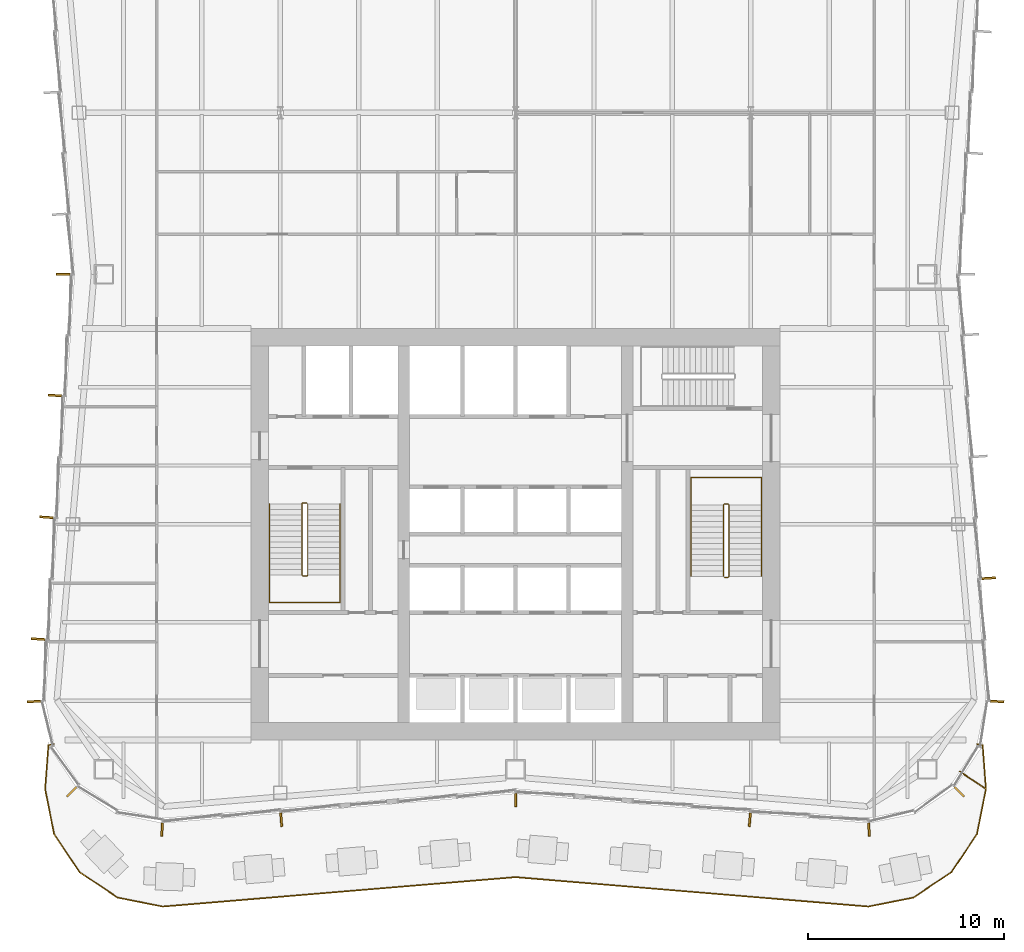
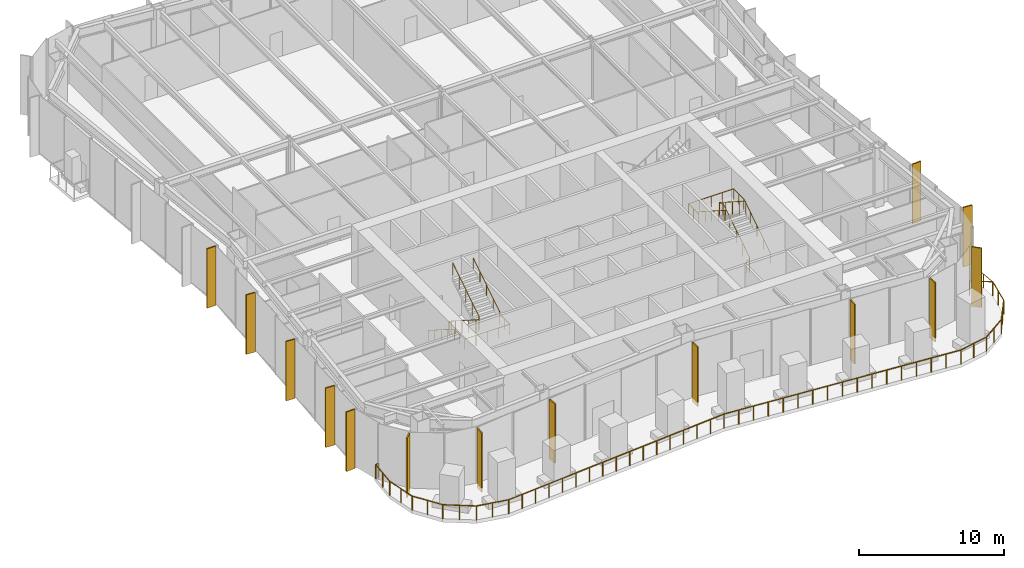
# One storey, part 13 of 16: 14 shading devices, 6 railings.
"""IFC4 building model written with IfcOpenShell, lengths in metres."""

from ifc_helpers import new_model, si_unit, direction, frame, origin, origin_2d, place, context, subcontext, project, spatial, rectangle, circle, extrude, material, layer, layer_set, type_object, element, save


model = new_model("IFC4")

# Units and contexts
model_context = context("Model", 3, precision=1e-05, world=origin(), true_north=direction((0.0, 1.0)))
body_context = subcontext(model_context, "Body", "Model", "MODEL_VIEW")
ifc_project = project(units=[si_unit("LENGTHUNIT", "METRE"), si_unit("AREAUNIT", "SQUARE_METRE"), si_unit("VOLUMEUNIT", "CUBIC_METRE"), si_unit("PLANEANGLEUNIT", "RADIAN"), si_unit("MASSUNIT", "GRAM", prefix="KILO")], contexts=[model_context])

# Site, building, storey
site_placement = place(None, origin())
site = spatial("IfcSite", under=ifc_project, at=site_placement, CompositionType="ELEMENT")
building_placement = place(site_placement, origin())
building = spatial("IfcBuilding", under=site, at=building_placement, Name="Verdant Reach Tower", CompositionType="ELEMENT")
storey_placement = place(building_placement, frame((0.0, 0.0, 177.0)))
storey = spatial("IfcBuildingStorey", under=building, at=storey_placement, Name="L40", CompositionType="ELEMENT", Elevation=177.0)

# Railings
ifc_material_1 = material(Name="Stainless steel", Category="steel")
railing_type_1 = type_object("IfcRailingType", Name="CO-GUARD", PredefinedType="GUARDRAIL", material=ifc_material_1)
railing_1_placement = place(storey_placement, frame((-10.64990234375, 29.60009765625, 0.0)))
element("IfcRailing", 1, at=railing_1_placement, inside=storey, type_object=railing_type_1, Name="L40 ST-1 stair guard 1", PredefinedType="GUARDRAIL", context=body_context, shape_type="SweptSolid", body=[
    extrude(circle(Radius=0.02392578125, at=origin_2d()), frame((0.0, 0.0, 1.076171875), z_axis=(-1.0, 0.0, 0.0), x_axis=(0.0, -1.0, 0.0)), (0.0, 0.0, 1.0), 0.2001953125),
    extrude(circle(Radius=0.02392578125, at=origin_2d()), frame((-0.2001953125, 0.0, 1.076171875), z_axis=(-0.25949872427, -0.26077077684, 0.929870428634), x_axis=(0.708833529934, -0.705375805398, 0.0)), (0.0, 0.0, 1.0), 0.19189453125),
    extrude(circle(Radius=0.02392578125, at=origin_2d()), frame((-0.25, -0.050048828125, 1.25439453125), z_axis=(0.0, -0.843127859045, 0.537713132908), x_axis=(1.0, 0.0, 0.0)), (0.0, 0.0, 1.0), 4.3173828125),
    extrude(circle(Radius=0.02392578125, at=origin_2d()), frame((-0.25, -3.690185546875, 3.576171875), z_axis=(0.707106781187, -0.707106781187, 0.0), x_axis=(0.707106781187, 0.707106781187, 0.0)), (0.0, 0.0, 1.0), 0.0703125),
    extrude(circle(Radius=0.02392578125, at=origin_2d()), frame((-0.2001953125, -3.739990234375, 3.576171875), z_axis=(1.0, 0.0, 0.0), x_axis=(0.0, 1.0, 0.0)), (0.0, 0.0, 1.0), 0.2001953125),
    extrude(circle(Radius=0.02392578125, at=origin_2d()), frame((0.0, -3.739990234375, 3.576171875), z_axis=(0.259584636361, 0.259584636361, 0.930178280294), x_axis=(-0.707106781187, 0.707106781187, 0.0)), (0.0, 0.0, 1.0), 0.19189453125),
    extrude(circle(Radius=0.02392578125, at=origin_2d()), frame((0.0498046875, -3.690185546875, 3.75439453125), z_axis=(0.0, 0.843127859045, 0.537713132908), x_axis=(-1.0, 0.0, 0.0)), (0.0, 0.0, 1.0), 4.3173828125),
    extrude(circle(Radius=0.02099609375, at=origin_2d()), origin(), (0.0, 0.0, 1.0), 1.052001953125),
    extrude(circle(Radius=0.02099609375, at=origin_2d()), frame((-0.2001953125, 0.0, 0.0)), (0.0, 0.0, 1.0), 1.052001953125),
    extrude(circle(Radius=0.02099609375, at=origin_2d()), frame((-0.25, -0.050048828125, 0.178466796875)), (0.0, 0.0, 1.0), 1.052001953125),
    extrude(circle(Radius=0.02099609375, at=origin_2d()), frame((-0.25, -0.9599609375, 0.7587890625)), (0.0, 0.0, 1.0), 1.052001953125),
    extrude(circle(Radius=0.02099609375, at=origin_2d()), frame((-0.25, -1.8701171875, 1.33935546875)), (0.0, 0.0, 1.0), 1.052001953125),
    extrude(circle(Radius=0.02099609375, at=origin_2d()), frame((-0.25, -2.7802734375, 1.919677734375)), (0.0, 0.0, 1.0), 1.052001953125),
    extrude(circle(Radius=0.02099609375, at=origin_2d()), frame((-0.25, -3.690185546875, 2.5)), (0.0, 0.0, 1.0), 1.052001953125),
    extrude(circle(Radius=0.02099609375, at=origin_2d()), frame((-0.2001953125, -3.739990234375, 2.5)), (0.0, 0.0, 1.0), 1.052001953125),
    extrude(circle(Radius=0.02099609375, at=origin_2d()), frame((0.0, -3.739990234375, 2.5)), (0.0, 0.0, 1.0), 1.052001953125),
    extrude(circle(Radius=0.02099609375, at=origin_2d()), frame((0.0498046875, -3.690185546875, 2.678466796875)), (0.0, 0.0, 1.0), 1.052001953125),
    extrude(circle(Radius=0.02099609375, at=origin_2d()), frame((0.0498046875, -2.7802734375, 3.2587890625)), (0.0, 0.0, 1.0), 1.052001953125),
    extrude(circle(Radius=0.02099609375, at=origin_2d()), frame((0.0498046875, -1.8701171875, 3.83935546875)), (0.0, 0.0, 1.0), 1.052001953125),
    extrude(circle(Radius=0.02099609375, at=origin_2d()), frame((0.0498046875, -0.9599609375, 4.419677734375)), (0.0, 0.0, 1.0), 1.052001953125),
    extrude(circle(Radius=0.02099609375, at=origin_2d()), frame((0.0498046875, -0.050048828125, 5.0)), (0.0, 0.0, 1.0), 1.052001953125),
])
railing_2_placement = place(storey_placement, frame((10.64990234375, 25.800048828125, 0.0)))
element("IfcRailing", 2, at=railing_2_placement, inside=storey, type_object=railing_type_1, Name="L40 ST-2 stair guard 1", PredefinedType="GUARDRAIL", context=body_context, shape_type="SweptSolid", body=[
    extrude(circle(Radius=0.02392578125, at=origin_2d()), frame((0.0, 0.0, 1.076171875), z_axis=(1.0, 0.0, 0.0), x_axis=(0.0, 1.0, 0.0)), (0.0, 0.0, 1.0), 0.2001953125),
    extrude(circle(Radius=0.02392578125, at=origin_2d()), frame((0.2001953125, 0.0, 1.076171875), z_axis=(0.25949872427, 0.26077077684, 0.929870428634), x_axis=(-0.708833529934, 0.705375805398, 0.0)), (0.0, 0.0, 1.0), 0.19189453125),
    extrude(circle(Radius=0.02392578125, at=origin_2d()), frame((0.25, 0.050048828125, 1.25439453125), z_axis=(0.0, 0.843111507901, 0.53773877045), x_axis=(-1.0, 0.0, 0.0)), (0.0, 0.0, 1.0), 4.317138671875),
    extrude(circle(Radius=0.02392578125, at=origin_2d()), frame((0.25, 3.68994140625, 3.576171875), z_axis=(-0.705375805398, 0.708833529934, 0.0), x_axis=(-0.708833529934, -0.705375805398, 0.0)), (0.0, 0.0, 1.0), 0.070556640625),
    extrude(circle(Radius=0.02392578125, at=origin_2d()), frame((0.2001953125, 3.739990234375, 3.576171875), z_axis=(-1.0, 0.0, 0.0), x_axis=(0.0, -1.0, 0.0)), (0.0, 0.0, 1.0), 0.2001953125),
    extrude(circle(Radius=0.02392578125, at=origin_2d()), frame((0.0, 3.739990234375, 3.576171875), z_axis=(-0.25949872427, -0.26077077684, 0.929870428634), x_axis=(0.708833529934, -0.705375805398, 0.0)), (0.0, 0.0, 1.0), 0.19189453125),
    extrude(circle(Radius=0.02392578125, at=origin_2d()), frame((-0.0498046875, 3.68994140625, 3.75439453125), z_axis=(0.0, -0.843111507901, 0.53773877045), x_axis=(1.0, 0.0, 0.0)), (0.0, 0.0, 1.0), 4.317138671875),
    extrude(circle(Radius=0.02099609375, at=origin_2d()), origin(), (0.0, 0.0, 1.0), 1.052001953125),
    extrude(circle(Radius=0.02099609375, at=origin_2d()), frame((0.2001953125, 0.0, 0.0)), (0.0, 0.0, 1.0), 1.052001953125),
    extrude(circle(Radius=0.02099609375, at=origin_2d()), frame((0.25, 0.050048828125, 0.178466796875)), (0.0, 0.0, 1.0), 1.052001953125),
    extrude(circle(Radius=0.02099609375, at=origin_2d()), frame((0.25, 0.9599609375, 0.7587890625)), (0.0, 0.0, 1.0), 1.052001953125),
    extrude(circle(Radius=0.02099609375, at=origin_2d()), frame((0.25, 1.8701171875, 1.33935546875)), (0.0, 0.0, 1.0), 1.052001953125),
    extrude(circle(Radius=0.02099609375, at=origin_2d()), frame((0.25, 2.780029296875, 1.919677734375)), (0.0, 0.0, 1.0), 1.052001953125),
    extrude(circle(Radius=0.02099609375, at=origin_2d()), frame((0.25, 3.68994140625, 2.5)), (0.0, 0.0, 1.0), 1.052001953125),
    extrude(circle(Radius=0.02099609375, at=origin_2d()), frame((0.2001953125, 3.739990234375, 2.5)), (0.0, 0.0, 1.0), 1.052001953125),
    extrude(circle(Radius=0.02099609375, at=origin_2d()), frame((0.0, 3.739990234375, 2.5)), (0.0, 0.0, 1.0), 1.052001953125),
    extrude(circle(Radius=0.02099609375, at=origin_2d()), frame((-0.0498046875, 3.68994140625, 2.678466796875)), (0.0, 0.0, 1.0), 1.052001953125),
    extrude(circle(Radius=0.02099609375, at=origin_2d()), frame((-0.0498046875, 2.780029296875, 3.2587890625)), (0.0, 0.0, 1.0), 1.052001953125),
    extrude(circle(Radius=0.02099609375, at=origin_2d()), frame((-0.0498046875, 1.8701171875, 3.83935546875)), (0.0, 0.0, 1.0), 1.052001953125),
    extrude(circle(Radius=0.02099609375, at=origin_2d()), frame((-0.0498046875, 0.9599609375, 4.419677734375)), (0.0, 0.0, 1.0), 1.052001953125),
    extrude(circle(Radius=0.02099609375, at=origin_2d()), frame((-0.0498046875, 0.050048828125, 5.0)), (0.0, 0.0, 1.0), 1.052001953125),
])
railing_type_2 = type_object("IfcRailingType", Name="CO-HANDRAIL", PredefinedType="HANDRAIL", material=ifc_material_1)
railing_3_placement = place(storey_placement, frame((-12.550048828125, 29.550048828125, 0.178466796875)))
element("IfcRailing", 3, at=railing_3_placement, inside=storey, type_object=railing_type_2, Name="L40 ST-1 stair handrail 1", PredefinedType="HANDRAIL", context=body_context, shape_type="SweptSolid", body=[
    extrude(circle(Radius=0.02392578125, at=origin_2d()), frame((0.0, 0.0, 0.8759765625), z_axis=(0.0, -0.843127859045, 0.537713132908), x_axis=(1.0, 0.0, 0.0)), (0.0, 0.0, 1.0), 4.3173828125),
    extrude(circle(Radius=0.02392578125, at=origin_2d()), frame((0.0, -3.64013671875, 3.197265625), z_axis=(0.0, -1.0, 0.0), x_axis=(1.0, 0.0, 0.0)), (0.0, 0.0, 1.0), 1.39990234375),
    extrude(circle(Radius=0.02392578125, at=origin_2d()), frame((0.0, -5.0400390625, 3.197265625), z_axis=(1.0, 0.0, 0.0), x_axis=(0.0, 1.0, 0.0)), (0.0, 0.0, 1.0), 3.60009765625),
    extrude(circle(Radius=0.02392578125, at=origin_2d()), frame((3.60009765625, -5.0400390625, 3.197265625), z_axis=(0.0, 1.0, 0.0), x_axis=(-1.0, 0.0, 0.0)), (0.0, 0.0, 1.0), 1.39990234375),
    extrude(circle(Radius=0.02392578125, at=origin_2d()), frame((3.60009765625, -3.64013671875, 3.197265625), z_axis=(0.0, 0.0, 1.0), x_axis=(1.0, 0.0, 0.0)), (0.0, 0.0, 1.0), 0.178466796875),
    extrude(circle(Radius=0.02392578125, at=origin_2d()), frame((3.60009765625, -3.64013671875, 3.3759765625), z_axis=(0.0, 0.843127859045, 0.537713132908), x_axis=(-1.0, 0.0, 0.0)), (0.0, 0.0, 1.0), 4.3173828125),
    extrude(circle(Radius=0.02099609375, at=origin_2d()), origin(), (0.0, 0.0, 1.0), 0.851806640625),
    extrude(circle(Radius=0.02099609375, at=origin_2d()), frame((0.0, -0.91015625, 0.580322265625)), (0.0, 0.0, 1.0), 0.851806640625),
    extrude(circle(Radius=0.02099609375, at=origin_2d()), frame((0.0, -1.820068359375, 1.16064453125)), (0.0, 0.0, 1.0), 0.851806640625),
    extrude(circle(Radius=0.02099609375, at=origin_2d()), frame((0.0, -2.72998046875, 1.7412109375)), (0.0, 0.0, 1.0), 0.851806640625),
    extrude(circle(Radius=0.02099609375, at=origin_2d()), frame((0.0, -3.64013671875, 2.321533203125)), (0.0, 0.0, 1.0), 0.851806640625),
    extrude(circle(Radius=0.02099609375, at=origin_2d()), frame((0.0, -4.340087890625, 2.321533203125)), (0.0, 0.0, 1.0), 0.851806640625),
    extrude(circle(Radius=0.02099609375, at=origin_2d()), frame((0.0, -5.0400390625, 2.321533203125)), (0.0, 0.0, 1.0), 0.851806640625),
    extrude(circle(Radius=0.02099609375, at=origin_2d()), frame((0.89990234375, -5.0400390625, 2.321533203125)), (0.0, 0.0, 1.0), 0.851806640625),
    extrude(circle(Radius=0.02099609375, at=origin_2d()), frame((1.800048828125, -5.0400390625, 2.321533203125)), (0.0, 0.0, 1.0), 0.851806640625),
    extrude(circle(Radius=0.02099609375, at=origin_2d()), frame((2.7001953125, -5.0400390625, 2.321533203125)), (0.0, 0.0, 1.0), 0.851806640625),
    extrude(circle(Radius=0.02099609375, at=origin_2d()), frame((3.60009765625, -5.0400390625, 2.321533203125)), (0.0, 0.0, 1.0), 0.851806640625),
    extrude(circle(Radius=0.02099609375, at=origin_2d()), frame((3.60009765625, -4.340087890625, 2.321533203125)), (0.0, 0.0, 1.0), 0.851806640625),
    extrude(circle(Radius=0.02099609375, at=origin_2d()), frame((3.60009765625, -3.64013671875, 2.321533203125)), (0.0, 0.0, 1.0), 0.851806640625),
    extrude(circle(Radius=0.02099609375, at=origin_2d()), frame((3.60009765625, -3.64013671875, 2.5)), (0.0, 0.0, 1.0), 0.851806640625),
    extrude(circle(Radius=0.02099609375, at=origin_2d()), frame((3.60009765625, -2.72998046875, 3.080322265625)), (0.0, 0.0, 1.0), 0.851806640625),
    extrude(circle(Radius=0.02099609375, at=origin_2d()), frame((3.60009765625, -1.820068359375, 3.66064453125)), (0.0, 0.0, 1.0), 0.851806640625),
    extrude(circle(Radius=0.02099609375, at=origin_2d()), frame((3.60009765625, -0.91015625, 4.2412109375)), (0.0, 0.0, 1.0), 0.851806640625),
    extrude(circle(Radius=0.02099609375, at=origin_2d()), frame((3.60009765625, 0.0, 4.821533203125)), (0.0, 0.0, 1.0), 0.851806640625),
])
railing_4_placement = place(storey_placement, frame((12.550048828125, 25.85009765625, 0.178466796875)))
element("IfcRailing", 4, at=railing_4_placement, inside=storey, type_object=railing_type_2, Name="L40 ST-2 stair handrail 1", PredefinedType="HANDRAIL", context=body_context, shape_type="SweptSolid", body=[
    extrude(circle(Radius=0.02392578125, at=origin_2d()), frame((0.0, 0.0, 0.8759765625), z_axis=(0.0, 0.843111507901, 0.53773877045), x_axis=(-1.0, 0.0, 0.0)), (0.0, 0.0, 1.0), 4.317138671875),
    extrude(circle(Radius=0.02392578125, at=origin_2d()), frame((0.0, 3.639892578125, 3.197265625), z_axis=(0.0, 1.0, 0.0), x_axis=(-1.0, 0.0, 0.0)), (0.0, 0.0, 1.0), 1.39990234375),
    extrude(circle(Radius=0.02392578125, at=origin_2d()), frame((0.0, 5.039794921875, 3.197265625), z_axis=(-1.0, 0.0, 0.0), x_axis=(0.0, -1.0, 0.0)), (0.0, 0.0, 1.0), 3.60009765625),
    extrude(circle(Radius=0.02392578125, at=origin_2d()), frame((-3.60009765625, 5.039794921875, 3.197265625), z_axis=(0.0, -1.0, 0.0), x_axis=(1.0, 0.0, 0.0)), (0.0, 0.0, 1.0), 1.39990234375),
    extrude(circle(Radius=0.02392578125, at=origin_2d()), frame((-3.60009765625, 3.639892578125, 3.197265625), z_axis=(0.0, 0.0, 1.0), x_axis=(1.0, 0.0, 0.0)), (0.0, 0.0, 1.0), 0.178466796875),
    extrude(circle(Radius=0.02392578125, at=origin_2d()), frame((-3.60009765625, 3.639892578125, 3.3759765625), z_axis=(0.0, -0.843111507901, 0.53773877045), x_axis=(1.0, 0.0, 0.0)), (0.0, 0.0, 1.0), 4.317138671875),
    extrude(circle(Radius=0.02099609375, at=origin_2d()), origin(), (0.0, 0.0, 1.0), 0.851806640625),
    extrude(circle(Radius=0.02099609375, at=origin_2d()), frame((0.0, 0.909912109375, 0.580322265625)), (0.0, 0.0, 1.0), 0.851806640625),
    extrude(circle(Radius=0.02099609375, at=origin_2d()), frame((0.0, 1.81982421875, 1.16064453125)), (0.0, 0.0, 1.0), 0.851806640625),
    extrude(circle(Radius=0.02099609375, at=origin_2d()), frame((0.0, 2.72998046875, 1.7412109375)), (0.0, 0.0, 1.0), 0.851806640625),
    extrude(circle(Radius=0.02099609375, at=origin_2d()), frame((0.0, 3.639892578125, 2.321533203125)), (0.0, 0.0, 1.0), 0.851806640625),
    extrude(circle(Radius=0.02099609375, at=origin_2d()), frame((0.0, 4.33984375, 2.321533203125)), (0.0, 0.0, 1.0), 0.851806640625),
    extrude(circle(Radius=0.02099609375, at=origin_2d()), frame((0.0, 5.039794921875, 2.321533203125)), (0.0, 0.0, 1.0), 0.851806640625),
    extrude(circle(Radius=0.02099609375, at=origin_2d()), frame((-0.89990234375, 5.039794921875, 2.321533203125)), (0.0, 0.0, 1.0), 0.851806640625),
    extrude(circle(Radius=0.02099609375, at=origin_2d()), frame((-1.800048828125, 5.039794921875, 2.321533203125)), (0.0, 0.0, 1.0), 0.851806640625),
    extrude(circle(Radius=0.02099609375, at=origin_2d()), frame((-2.7001953125, 5.039794921875, 2.321533203125)), (0.0, 0.0, 1.0), 0.851806640625),
    extrude(circle(Radius=0.02099609375, at=origin_2d()), frame((-3.60009765625, 5.039794921875, 2.321533203125)), (0.0, 0.0, 1.0), 0.851806640625),
    extrude(circle(Radius=0.02099609375, at=origin_2d()), frame((-3.60009765625, 4.33984375, 2.321533203125)), (0.0, 0.0, 1.0), 0.851806640625),
    extrude(circle(Radius=0.02099609375, at=origin_2d()), frame((-3.60009765625, 3.639892578125, 2.321533203125)), (0.0, 0.0, 1.0), 0.851806640625),
    extrude(circle(Radius=0.02099609375, at=origin_2d()), frame((-3.60009765625, 3.639892578125, 2.5)), (0.0, 0.0, 1.0), 0.851806640625),
    extrude(circle(Radius=0.02099609375, at=origin_2d()), frame((-3.60009765625, 2.72998046875, 3.080322265625)), (0.0, 0.0, 1.0), 0.851806640625),
    extrude(circle(Radius=0.02099609375, at=origin_2d()), frame((-3.60009765625, 1.81982421875, 3.66064453125)), (0.0, 0.0, 1.0), 0.851806640625),
    extrude(circle(Radius=0.02099609375, at=origin_2d()), frame((-3.60009765625, 0.909912109375, 4.2412109375)), (0.0, 0.0, 1.0), 0.851806640625),
    extrude(circle(Radius=0.02099609375, at=origin_2d()), frame((-3.60009765625, 0.0, 4.821533203125)), (0.0, 0.0, 1.0), 0.851806640625),
])

# Shading devices
ifc_material_2 = material(Name="Bronze fin, champagne", Category="aluminium")
ifc_layer_1 = layer(ifc_material_2, 0.10009765625)
ifc_layer_set_1 = layer_set([ifc_layer_1], Name="EN-FIN CHAMPAGNE")
shading_device_type_1 = type_object("IfcShadingDeviceType", Name="EN-FIN CHAMPAGNE", PredefinedType="USERDEFINED", material=ifc_layer_set_1)
for number, where, z_axis, x_axis, name in (
    (5, (18.0322265625, 12.932861328125, -0.35009765625), (0.0, 0.0, 1.0), (0.998398681387, 0.056569187765, 0.0), "Fin south-east corner 1, L40"),
    (6, (22.644287109375, 14.855712890625, -0.35009765625), (0.0, 0.0, 1.0), (0.707106781187, 0.707106781187, 0.0), "Fin south-east corner 3, L40"),
    (7, (24.56689453125, 19.4638671875, -0.35009765625), (0.0, 0.0, 1.0), (0.063698618332, 0.997969180898, 0.0), "Fin east face part 1 1, L40"),
    (8, (-23.923828125, 28.860595703125, -0.35009765625), (0.0, 0.0, 1.0), (-0.068802091615, -0.997630328423, 0.0), "Fin west face part 2 5, L40"),
    (9, (-24.352294921875, 22.646240234375, -0.35009765625), (0.0, 0.0, 1.0), (-0.068802091615, -0.997630328423, 0.0), "Fin west face part 2 7, L40"),
    (10, (-18.0322265625, 12.932861328125, -0.35009765625), (0.0, 0.0, 1.0), (0.998398681387, -0.056569187765, 0.0), "Fin south face part 1 1, L40"),
    (11, (-11.952880859375, 13.43408203125, -0.35009765625), (0.0, 0.0, 1.0), (0.996545758244, 0.083045479859, 0.0), "Fin south face part 1 3, L40"),
):
    element("IfcShadingDevice", number, at=place(storey_placement, frame(where, z_axis=z_axis, x_axis=x_axis)), inside=storey, type_object=shading_device_type_1, Name=name, ObjectType="FIN", PredefinedType="USERDEFINED", context=body_context, shape_type="SweptSolid", body=[
        extrude(rectangle(XDim=0.10009765625, YDim=0.699951171875, at=origin_2d()), origin(), (0.0, 0.0, 1.0), 5.0),
    ])
ifc_material_3 = material(Name="Bronze fin, copper", Category="aluminium")
ifc_layer_2 = layer(ifc_material_3, 0.10009765625)
ifc_layer_set_2 = layer_set([ifc_layer_2], Name="EN-FIN COPPER")
shading_device_type_2 = type_object("IfcShadingDeviceType", Name="EN-FIN COPPER", PredefinedType="USERDEFINED", material=ifc_layer_set_2)
for number, where, z_axis, x_axis, name in (
    (12, (24.13818359375, 25.75341796875, -0.35009765625), (0.0, 0.0, 1.0), (-0.068802091615, 0.997630328423, 0.0), "Fin east face part 1 3, L40"),
    (13, (-23.068115234375, 41.25, -0.35009765625), (0.0, 0.0, 1.0), (0.0, -1.0, 0.0), "Fin west face part 2 1, L40"),
    (14, (11.952880859375, 13.43408203125, -0.35009765625), (0.0, 0.0, 1.0), (0.996545758244, -0.083045479859, 0.0), "Fin south face part 2 5, L40"),
):
    element("IfcShadingDevice", number, at=place(storey_placement, frame(where, z_axis=z_axis, x_axis=x_axis)), inside=storey, type_object=shading_device_type_2, Name=name, ObjectType="FIN", PredefinedType="USERDEFINED", context=body_context, shape_type="SweptSolid", body=[
        extrude(rectangle(XDim=0.10009765625, YDim=0.699951171875, at=origin_2d()), origin(), (0.0, 0.0, 1.0), 5.0),
    ])
ifc_material_4 = material(Name="Bronze fin, dark bronze", Category="aluminium")
ifc_layer_3 = layer(ifc_material_4, 0.10009765625)
ifc_layer_set_3 = layer_set([ifc_layer_3], Name="EN-FIN DARK")
shading_device_type_3 = type_object("IfcShadingDeviceType", Name="EN-FIN DARK", PredefinedType="USERDEFINED", material=ifc_layer_set_3)
for number, where, z_axis, x_axis, name in (
    (15, (-23.4951171875, 35.07470703125, -0.35009765625), (0.0, 0.0, 1.0), (-0.068802091615, -0.997630328423, 0.0), "Fin west face part 2 3, L40"),
    (16, (-24.56689453125, 19.4638671875, -0.35009765625), (0.0, 0.0, 1.0), (0.063698618332, -0.997969180898, 0.0), "Fin south-west corner 1, L40"),
    (17, (-22.644287109375, 14.855712890625, -0.35009765625), (0.0, 0.0, 1.0), (0.707106781187, -0.707106781187, 0.0), "Fin south-west corner 3, L40"),
    (18, (0.0, 14.431884765625, -0.35009765625), (0.0, 0.0, 1.0), (1.0, 0.0, 0.0), "Fin south face part 2 1, L40"),
):
    element("IfcShadingDevice", number, at=place(storey_placement, frame(where, z_axis=z_axis, x_axis=x_axis)), inside=storey, type_object=shading_device_type_3, Name=name, ObjectType="FIN", PredefinedType="USERDEFINED", context=body_context, shape_type="SweptSolid", body=[
        extrude(rectangle(XDim=0.10009765625, YDim=0.699951171875, at=origin_2d()), origin(), (0.0, 0.0, 1.0), 5.0),
    ])

# Railings
ifc_material_5 = material(Name="Stainless steel and laminated glass balustrade", Category="steel")
railing_type_3 = type_object("IfcRailingType", Name="EN-RAILING TERRACE", PredefinedType="GUARDRAIL", material=ifc_material_5)
railing_5_placement = place(storey_placement, frame((22.666259765625, 15.891357421875, 0.0)))
element("IfcRailing", 19, at=railing_5_placement, inside=storey, type_object=railing_type_3, Name="Terrace guard 1, L40", PredefinedType="GUARDRAIL", context=body_context, shape_type="SweptSolid", body=[
    extrude(circle(Radius=0.02490234375, at=origin_2d()), frame((0.0, 0.0, 1.1748046875), z_axis=(0.831417577393, -0.555648100872, 0.0), x_axis=(0.555648100872, 0.831417577393, 0.0)), (0.0, 0.0, 1.0), 1.604248046875),
    extrude(circle(Radius=0.02490234375, at=origin_2d()), frame((1.333740234375, -0.891357421875, 1.1748046875), z_axis=(-0.195113312377, -0.980780707056, 0.0), x_axis=(0.980780707056, -0.195113312377, 0.0)), (0.0, 0.0, 1.0), 2.341064453125),
    extrude(circle(Radius=0.02490234375, at=origin_2d()), frame((0.876953125, -3.1875, 1.1748046875), z_axis=(-0.55554223823, -0.831488317141, 0.0), x_axis=(0.831488317141, -0.55554223823, 0.0)), (0.0, 0.0, 1.0), 2.341064453125),
    extrude(circle(Radius=0.02490234375, at=origin_2d()), frame((-0.423583984375, -5.134033203125, 1.1748046875), z_axis=(-0.831488317141, -0.55554223823, 0.0), x_axis=(0.55554223823, -0.831488317141, 0.0)), (0.0, 0.0, 1.0), 2.341064453125),
    extrude(circle(Radius=0.02490234375, at=origin_2d()), frame((-2.3701171875, -6.4345703125, 1.1748046875), z_axis=(-0.980780707056, -0.195113312377, 0.0), x_axis=(0.195113312377, -0.980780707056, 0.0)), (0.0, 0.0, 1.0), 2.341064453125),
    extrude(circle(Radius=0.02490234375, at=origin_2d()), frame((-4.666259765625, -6.891357421875, 1.1748046875), z_axis=(-0.996545758245, 0.083045479854, 0.0), x_axis=(-0.083045479854, -0.996545758245, 0.0)), (0.0, 0.0, 1.0), 18.0625),
    extrude(circle(Radius=0.02490234375, at=origin_2d()), frame((-22.666259765625, -5.391357421875, 1.1748046875), z_axis=(-0.996545758245, -0.083045479854, 0.0), x_axis=(0.083045479854, -0.996545758245, 0.0)), (0.0, 0.0, 1.0), 18.0625),
    extrude(circle(Radius=0.02490234375, at=origin_2d()), frame((-40.666259765625, -6.891357421875, 1.1748046875), z_axis=(-0.980780707056, 0.195113312377, 0.0), x_axis=(-0.195113312377, -0.980780707056, 0.0)), (0.0, 0.0, 1.0), 2.341064453125),
    extrude(circle(Radius=0.02490234375, at=origin_2d()), frame((-42.96240234375, -6.4345703125, 1.1748046875), z_axis=(-0.831488317141, 0.55554223823, 0.0), x_axis=(-0.55554223823, -0.831488317141, 0.0)), (0.0, 0.0, 1.0), 2.341064453125),
    extrude(circle(Radius=0.02490234375, at=origin_2d()), frame((-44.908935546875, -5.134033203125, 1.1748046875), z_axis=(-0.55554223823, 0.831488317141, 0.0), x_axis=(-0.831488317141, -0.55554223823, 0.0)), (0.0, 0.0, 1.0), 2.341064453125),
    extrude(circle(Radius=0.02490234375, at=origin_2d()), frame((-46.20947265625, -3.1875, 1.1748046875), z_axis=(-0.195113312377, 0.980780707056, 0.0), x_axis=(-0.980780707056, -0.195113312377, 0.0)), (0.0, 0.0, 1.0), 2.341064453125),
    extrude(circle(Radius=0.02490234375, at=origin_2d()), frame((-46.666259765625, -0.891357421875, 1.1748046875), z_axis=(0.074795369305, 0.997198903294, 0.0), x_axis=(-0.997198903294, 0.074795369305, 0.0)), (0.0, 0.0, 1.0), 2.2392578125),
    extrude(circle(Radius=0.02490234375, at=origin_2d()), frame((-46.498779296875, 1.341552734375, 1.1748046875), z_axis=(0.980816369653, 0.194933960665, 0.0), x_axis=(-0.194933960665, 0.980816369653, 0.0)), (0.0, 0.0, 1.0), 0.278076171875),
    extrude(circle(Radius=0.02490234375, at=origin_2d()), origin(), (0.0, 0.0, 1.0), 1.14990234375),
    extrude(circle(Radius=0.02490234375, at=origin_2d()), frame((0.6669921875, -0.44580078125, 0.0)), (0.0, 0.0, 1.0), 1.14990234375),
    extrude(circle(Radius=0.02490234375, at=origin_2d()), frame((1.333740234375, -0.891357421875, 0.0)), (0.0, 0.0, 1.0), 1.14990234375),
    extrude(circle(Radius=0.02490234375, at=origin_2d()), frame((1.10546875, -2.03955078125, 0.0)), (0.0, 0.0, 1.0), 1.14990234375),
    extrude(circle(Radius=0.02490234375, at=origin_2d()), frame((0.876953125, -3.1875, 0.0)), (0.0, 0.0, 1.0), 1.14990234375),
    extrude(circle(Radius=0.02490234375, at=origin_2d()), frame((0.2265625, -4.16064453125, 0.0)), (0.0, 0.0, 1.0), 1.14990234375),
    extrude(circle(Radius=0.02490234375, at=origin_2d()), frame((-0.423583984375, -5.134033203125, 0.0)), (0.0, 0.0, 1.0), 1.14990234375),
    extrude(circle(Radius=0.02490234375, at=origin_2d()), frame((-1.39697265625, -5.7841796875, 0.0)), (0.0, 0.0, 1.0), 1.14990234375),
    extrude(circle(Radius=0.02490234375, at=origin_2d()), frame((-2.3701171875, -6.4345703125, 0.0)), (0.0, 0.0, 1.0), 1.14990234375),
    extrude(circle(Radius=0.02490234375, at=origin_2d()), frame((-3.51806640625, -6.6630859375, 0.0)), (0.0, 0.0, 1.0), 1.14990234375),
    extrude(circle(Radius=0.02490234375, at=origin_2d()), frame((-4.666259765625, -6.891357421875, 0.0)), (0.0, 0.0, 1.0), 1.14990234375),
    extrude(circle(Radius=0.02490234375, at=origin_2d()), frame((-5.791259765625, -6.797607421875, 0.0)), (0.0, 0.0, 1.0), 1.14990234375),
    extrude(circle(Radius=0.02490234375, at=origin_2d()), frame((-6.916259765625, -6.703857421875, 0.0)), (0.0, 0.0, 1.0), 1.14990234375),
    extrude(circle(Radius=0.02490234375, at=origin_2d()), frame((-8.041259765625, -6.610107421875, 0.0)), (0.0, 0.0, 1.0), 1.14990234375),
    extrude(circle(Radius=0.02490234375, at=origin_2d()), frame((-9.166259765625, -6.516357421875, 0.0)), (0.0, 0.0, 1.0), 1.14990234375),
    extrude(circle(Radius=0.02490234375, at=origin_2d()), frame((-10.291259765625, -6.422607421875, 0.0)), (0.0, 0.0, 1.0), 1.14990234375),
    extrude(circle(Radius=0.02490234375, at=origin_2d()), frame((-11.416259765625, -6.328857421875, 0.0)), (0.0, 0.0, 1.0), 1.14990234375),
    extrude(circle(Radius=0.02490234375, at=origin_2d()), frame((-12.541259765625, -6.235107421875, 0.0)), (0.0, 0.0, 1.0), 1.14990234375),
    extrude(circle(Radius=0.02490234375, at=origin_2d()), frame((-13.666259765625, -6.141357421875, 0.0)), (0.0, 0.0, 1.0), 1.14990234375),
    extrude(circle(Radius=0.02490234375, at=origin_2d()), frame((-14.791259765625, -6.047607421875, 0.0)), (0.0, 0.0, 1.0), 1.14990234375),
    extrude(circle(Radius=0.02490234375, at=origin_2d()), frame((-15.916259765625, -5.953857421875, 0.0)), (0.0, 0.0, 1.0), 1.14990234375),
    extrude(circle(Radius=0.02490234375, at=origin_2d()), frame((-17.041259765625, -5.860107421875, 0.0)), (0.0, 0.0, 1.0), 1.14990234375),
    extrude(circle(Radius=0.02490234375, at=origin_2d()), frame((-18.166259765625, -5.766357421875, 0.0)), (0.0, 0.0, 1.0), 1.14990234375),
    extrude(circle(Radius=0.02490234375, at=origin_2d()), frame((-19.291259765625, -5.672607421875, 0.0)), (0.0, 0.0, 1.0), 1.14990234375),
    extrude(circle(Radius=0.02490234375, at=origin_2d()), frame((-20.416259765625, -5.578857421875, 0.0)), (0.0, 0.0, 1.0), 1.14990234375),
    extrude(circle(Radius=0.02490234375, at=origin_2d()), frame((-21.541259765625, -5.485107421875, 0.0)), (0.0, 0.0, 1.0), 1.14990234375),
    extrude(circle(Radius=0.02490234375, at=origin_2d()), frame((-22.666259765625, -5.391357421875, 0.0)), (0.0, 0.0, 1.0), 1.14990234375),
    extrude(circle(Radius=0.02490234375, at=origin_2d()), frame((-23.791259765625, -5.485107421875, 0.0)), (0.0, 0.0, 1.0), 1.14990234375),
    extrude(circle(Radius=0.02490234375, at=origin_2d()), frame((-24.916259765625, -5.578857421875, 0.0)), (0.0, 0.0, 1.0), 1.14990234375),
    extrude(circle(Radius=0.02490234375, at=origin_2d()), frame((-26.041259765625, -5.672607421875, 0.0)), (0.0, 0.0, 1.0), 1.14990234375),
    extrude(circle(Radius=0.02490234375, at=origin_2d()), frame((-27.166259765625, -5.766357421875, 0.0)), (0.0, 0.0, 1.0), 1.14990234375),
    extrude(circle(Radius=0.02490234375, at=origin_2d()), frame((-28.291259765625, -5.860107421875, 0.0)), (0.0, 0.0, 1.0), 1.14990234375),
    extrude(circle(Radius=0.02490234375, at=origin_2d()), frame((-29.416259765625, -5.953857421875, 0.0)), (0.0, 0.0, 1.0), 1.14990234375),
    extrude(circle(Radius=0.02490234375, at=origin_2d()), frame((-30.541259765625, -6.047607421875, 0.0)), (0.0, 0.0, 1.0), 1.14990234375),
    extrude(circle(Radius=0.02490234375, at=origin_2d()), frame((-31.666259765625, -6.141357421875, 0.0)), (0.0, 0.0, 1.0), 1.14990234375),
    extrude(circle(Radius=0.02490234375, at=origin_2d()), frame((-32.791259765625, -6.235107421875, 0.0)), (0.0, 0.0, 1.0), 1.14990234375),
    extrude(circle(Radius=0.02490234375, at=origin_2d()), frame((-33.916259765625, -6.328857421875, 0.0)), (0.0, 0.0, 1.0), 1.14990234375),
    extrude(circle(Radius=0.02490234375, at=origin_2d()), frame((-35.041259765625, -6.422607421875, 0.0)), (0.0, 0.0, 1.0), 1.14990234375),
    extrude(circle(Radius=0.02490234375, at=origin_2d()), frame((-36.166259765625, -6.516357421875, 0.0)), (0.0, 0.0, 1.0), 1.14990234375),
    extrude(circle(Radius=0.02490234375, at=origin_2d()), frame((-37.291259765625, -6.610107421875, 0.0)), (0.0, 0.0, 1.0), 1.14990234375),
    extrude(circle(Radius=0.02490234375, at=origin_2d()), frame((-38.416259765625, -6.703857421875, 0.0)), (0.0, 0.0, 1.0), 1.14990234375),
    extrude(circle(Radius=0.02490234375, at=origin_2d()), frame((-39.541259765625, -6.797607421875, 0.0)), (0.0, 0.0, 1.0), 1.14990234375),
    extrude(circle(Radius=0.02490234375, at=origin_2d()), frame((-40.666259765625, -6.891357421875, 0.0)), (0.0, 0.0, 1.0), 1.14990234375),
    extrude(circle(Radius=0.02490234375, at=origin_2d()), frame((-41.814453125, -6.6630859375, 0.0)), (0.0, 0.0, 1.0), 1.14990234375),
    extrude(circle(Radius=0.02490234375, at=origin_2d()), frame((-42.96240234375, -6.4345703125, 0.0)), (0.0, 0.0, 1.0), 1.14990234375),
    extrude(circle(Radius=0.02490234375, at=origin_2d()), frame((-43.935546875, -5.7841796875, 0.0)), (0.0, 0.0, 1.0), 1.14990234375),
    extrude(circle(Radius=0.02490234375, at=origin_2d()), frame((-44.908935546875, -5.134033203125, 0.0)), (0.0, 0.0, 1.0), 1.14990234375),
    extrude(circle(Radius=0.02490234375, at=origin_2d()), frame((-45.55908203125, -4.16064453125, 0.0)), (0.0, 0.0, 1.0), 1.14990234375),
    extrude(circle(Radius=0.02490234375, at=origin_2d()), frame((-46.20947265625, -3.1875, 0.0)), (0.0, 0.0, 1.0), 1.14990234375),
    extrude(circle(Radius=0.02490234375, at=origin_2d()), frame((-46.43798828125, -2.03955078125, 0.0)), (0.0, 0.0, 1.0), 1.14990234375),
    extrude(circle(Radius=0.02490234375, at=origin_2d()), frame((-46.666259765625, -0.891357421875, 0.0)), (0.0, 0.0, 1.0), 1.14990234375),
    extrude(circle(Radius=0.02490234375, at=origin_2d()), frame((-46.58251953125, 0.22509765625, 0.0)), (0.0, 0.0, 1.0), 1.14990234375),
    extrude(circle(Radius=0.02490234375, at=origin_2d()), frame((-46.498779296875, 1.341552734375, 0.0)), (0.0, 0.0, 1.0), 1.14990234375),
    extrude(circle(Radius=0.02490234375, at=origin_2d()), frame((-46.22607421875, 1.395751953125, 0.0)), (0.0, 0.0, 1.0), 1.14990234375),
])
railing_6_placement = place(storey_placement, frame((23.559814453125, 17.287109375, 0.0)))
element("IfcRailing", 20, at=railing_6_placement, inside=storey, type_object=railing_type_3, Name="Terrace guard 2, L40", PredefinedType="GUARDRAIL", context=body_context, shape_type="SweptSolid", body=[
    extrude(circle(Radius=0.02490234375, at=origin_2d()), frame((0.0, 0.0, 1.1748046875), z_axis=(0.980816369653, -0.194933960665, 0.0), x_axis=(0.194933960665, 0.980816369653, 0.0)), (0.0, 0.0, 1.0), 0.278076171875),
    extrude(circle(Radius=0.02490234375, at=origin_2d()), frame((0.272705078125, -0.05419921875, 1.1748046875), z_axis=(0.074795369305, -0.997198903294, 0.0), x_axis=(0.997198903294, 0.074795369305, 0.0)), (0.0, 0.0, 1.0), 2.2392578125),
    extrude(circle(Radius=0.02490234375, at=origin_2d()), frame((0.440185546875, -2.287109375, 1.1748046875), z_axis=(-0.831417577393, 0.555648100872, 0.0), x_axis=(-0.555648100872, -0.831417577393, 0.0)), (0.0, 0.0, 1.0), 1.604248046875),
    extrude(circle(Radius=0.02490234375, at=origin_2d()), origin(), (0.0, 0.0, 1.0), 1.14990234375),
    extrude(circle(Radius=0.02490234375, at=origin_2d()), frame((0.272705078125, -0.05419921875, 0.0)), (0.0, 0.0, 1.0), 1.14990234375),
    extrude(circle(Radius=0.02490234375, at=origin_2d()), frame((0.3564453125, -1.170654296875, 0.0)), (0.0, 0.0, 1.0), 1.14990234375),
    extrude(circle(Radius=0.02490234375, at=origin_2d()), frame((0.440185546875, -2.287109375, 0.0)), (0.0, 0.0, 1.0), 1.14990234375),
    extrude(circle(Radius=0.02490234375, at=origin_2d()), frame((-0.2265625, -1.84130859375, 0.0)), (0.0, 0.0, 1.0), 1.14990234375),
    extrude(circle(Radius=0.02490234375, at=origin_2d()), frame((-0.8935546875, -1.395751953125, 0.0)), (0.0, 0.0, 1.0), 1.14990234375),
])

save(model, "model.ifc")
